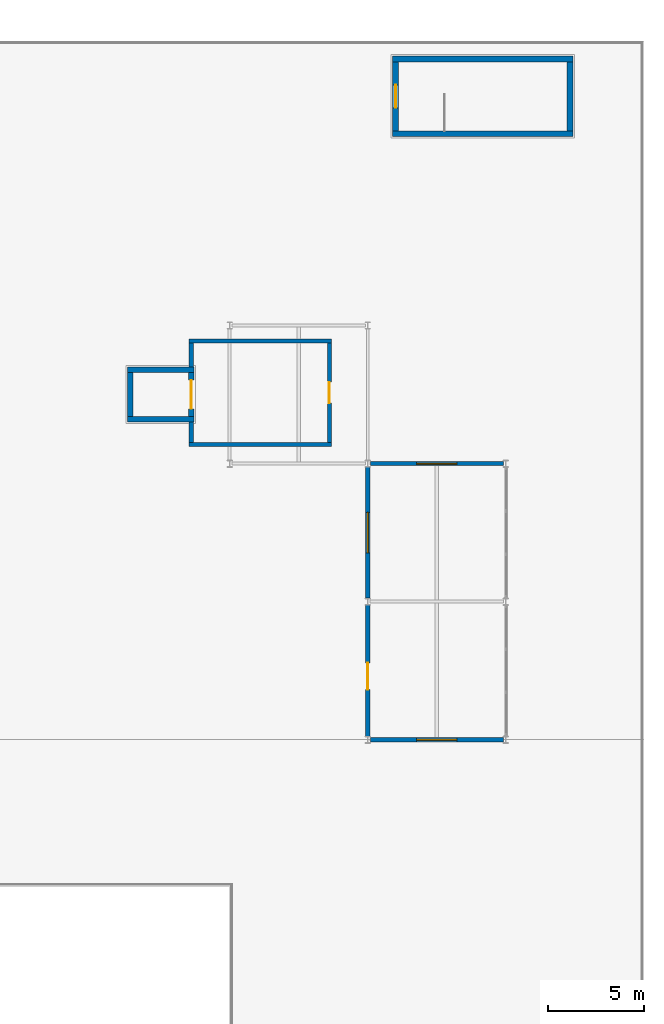
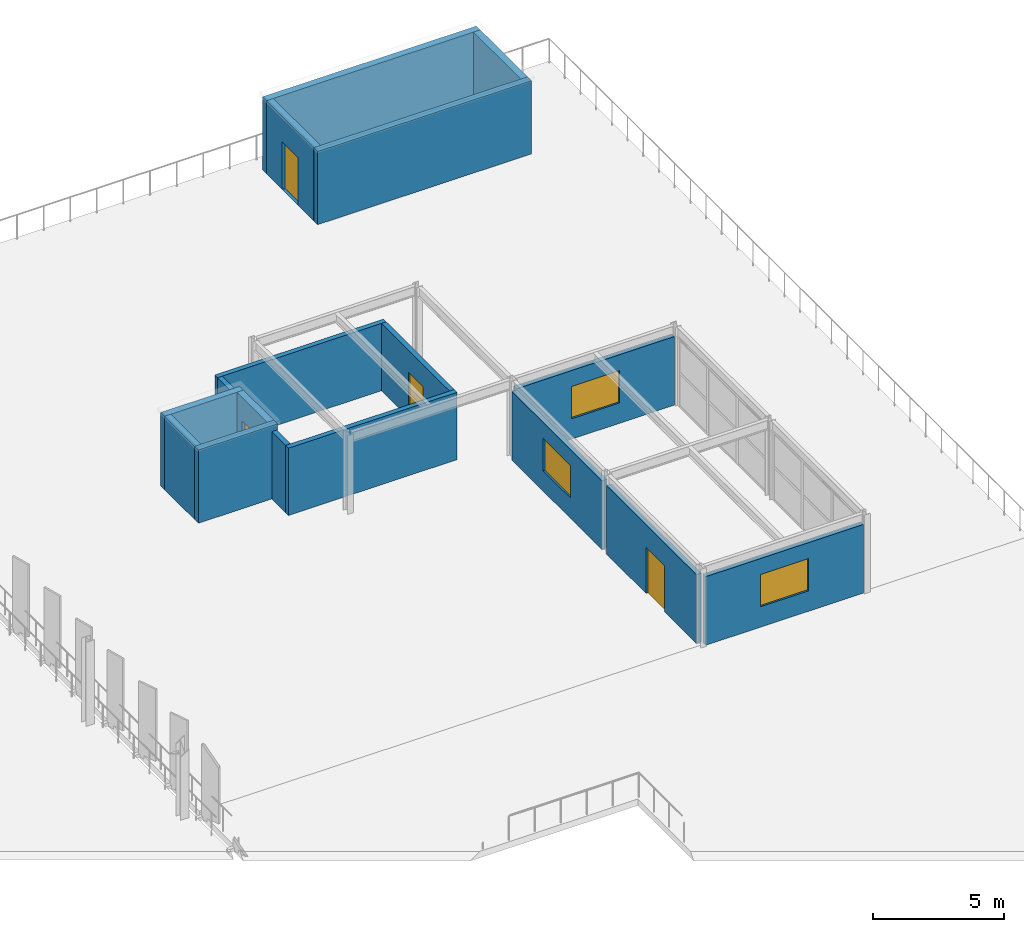
# One storey, part 37 of 52: 17 walls, 4 doors, 3 windows, 7 openings.
"""IFC4 building model written with IfcOpenShell, lengths in metres."""

from ifc_helpers import new_model, si_unit, direction, frame, frame_2d, origin, place, context, subcontext, project, spatial, rectangle, extrude, material, layer, layer_set, type_object, element, fill, save


model = new_model("IFC4")

# Units and contexts
model_context = context("Model", 3, precision=1e-05, world=origin(), true_north=direction((0.0, 1.0)))
body_context = subcontext(model_context, "Body", "Model", "MODEL_VIEW")
ifc_project = project(units=[si_unit("LENGTHUNIT", "METRE"), si_unit("AREAUNIT", "SQUARE_METRE"), si_unit("VOLUMEUNIT", "CUBIC_METRE"), si_unit("PLANEANGLEUNIT", "RADIAN"), si_unit("MASSUNIT", "GRAM", prefix="KILO")], contexts=[model_context])

# Site, building, storey
site_placement = place(None, origin())
site = spatial("IfcSite", under=ifc_project, at=site_placement, CompositionType="ELEMENT")
building_placement = place(site_placement, origin())
building = spatial("IfcBuilding", under=site, at=building_placement, Name="Vaelcorin Mobility Hub", CompositionType="ELEMENT")
storey_placement = place(building_placement, frame((0.0, 0.0, 13.199951171875)))
storey = spatial("IfcBuildingStorey", under=building, at=storey_placement, Name="L03", CompositionType="ELEMENT", Elevation=13.199951171875)

# Walls
ifc_material_1 = material(Name="Reinforced concrete f'c 45 MPa", Category="concrete")
ifc_layer_1 = layer(ifc_material_1, 0.300048828125)
ifc_layer_set_1 = layer_set([ifc_layer_1], Name="Reinforced concrete f'c 45 MPa")
wall_type_1 = type_object("IfcWallType", Name="WL-CORE-300", PredefinedType="SOLIDWALL", material=ifc_layer_set_1)
for number, where, z_axis, x_axis, name in (
    (1, (185.89990234375, 115.60009765625, 0.0), (0.0, 0.0, 1.0), (-1.0, 0.0, 0.0), "ST6 Fire Core Wall L03 South"),
    (2, (176.5, 119.5, 0.0), (0.0, 0.0, 1.0), (1.0, 0.0, 0.0), "ST6 Fire Core Wall L03 North"),
):
    element("IfcWall", number, at=place(storey_placement, frame(where, z_axis=z_axis, x_axis=x_axis)), inside=storey, type_object=wall_type_1, Name=name, PredefinedType="SOLIDWALL", context=body_context, shape_type="SweptSolid", body=[
        extrude(rectangle(XDim=9.39990234375, YDim=0.300048828125, at=frame_2d((4.699951171875, 0.0))), origin(), (0.0, 0.0, 1.0), 3.400146484375),
    ])

# Wall, opening, door
wall_1_placement = place(storey_placement, frame((176.64990234375, 115.75, 0.0), z_axis=(0.0, 0.0, 1.0), x_axis=(0.0, 1.0, 0.0)))
wall_1 = element("IfcWall", 3, at=wall_1_placement, inside=storey, type_object=wall_type_1, Name="ST6 Fire Core Wall L03 West", PredefinedType="SOLIDWALL", context=body_context, shape_type="SweptSolid", body=[
    extrude(rectangle(XDim=3.60009765625, YDim=0.300048828125, at=frame_2d((1.800048828125, 0.0))), origin(), (0.0, 0.0, 1.0), 3.400146484375),
])
opening_1_placement = place(wall_1_placement, frame((1.199951171875, 0.0, 0.0)))
opening_1 = element("IfcOpeningElement", 4, at=opening_1_placement, cuts=wall_1, Name="Opening SD01", PredefinedType="OPENING", context=body_context, shape_type="SweptSolid", body=[
    extrude(rectangle(XDim=1.199951171875, YDim=2.199951171875, at=frame_2d((0.60009765625, 1.10009765625))), frame((0.0, 0.159912109375, 0.0), z_axis=(0.0, -1.0, 0.0), x_axis=(1.0, 0.0, 0.0)), (0.0, 0.0, 1.0), 0.320068359375),
])
ifc_material_2 = material(Name="Hollow-metal insulated steel fire door", Category="steel")
door_type_1 = type_object("IfcDoorType", Name="DR-STAIR-90", OperationType="NOTDEFINED", PredefinedType="DOOR", material=ifc_material_2)
door_1_placement = place(opening_1_placement, origin())
door_1 = element("IfcDoor", 5, at=door_1_placement, inside=storey, type_object=door_type_1, Name="ST6 Protected Stair Door L03", OperationType="SINGLE_SWING_RIGHT", OverallHeight=2.199951171875, OverallWidth=1.199951171875, PredefinedType="DOOR", context=body_context, shape_type="SweptSolid", body=[
    extrude(rectangle(XDim=1.199951171875, YDim=2.199951171875, at=frame_2d((0.60009765625, 1.10009765625))), frame((0.0, 0.02490234375, 0.0), z_axis=(0.0, -1.0, 0.0), x_axis=(1.0, 0.0, 0.0)), (0.0, 0.0, 1.0), 0.050048828125),
])
fill(opening_1, door_1)

# Wall
wall_2_placement = place(storey_placement, frame((185.75, 119.35009765625, 0.0), z_axis=(0.0, 0.0, 1.0), x_axis=(0.0, -1.0, 0.0)))
element("IfcWall", 6, at=wall_2_placement, inside=storey, type_object=wall_type_1, Name="ST6 Fire Core Wall L03 East", PredefinedType="SOLIDWALL", context=body_context, shape_type="SweptSolid", body=[
    extrude(rectangle(XDim=3.60009765625, YDim=0.300048828125, at=frame_2d((1.800048828125, 0.0))), origin(), (0.0, 0.0, 1.0), 3.400146484375),
])

# Wall, opening, door
ifc_material_3 = material(Name="Insulated exterior precast concrete C40/50", Category="concrete")
ifc_layer_2 = layer(ifc_material_3, 0.219970703125)
ifc_layer_set_2 = layer_set([ifc_layer_2], Name="Insulated exterior precast concrete C40/50")
wall_type_2 = type_object("IfcWallType", Name="WL-EXT-220", PredefinedType="STANDARD", material=ifc_layer_set_2)
wall_3_placement = place(storey_placement, frame((175.199951171875, 84.179931640625, 0.0), z_axis=(0.0, 0.0, 1.0), x_axis=(0.0, 1.0, 0.0)))
wall_3 = element("IfcWall", 7, at=wall_3_placement, inside=storey, type_object=wall_type_2, Name="L03 Exterior Wall L03-GPAVN-W-1", PredefinedType="STANDARD", context=body_context, shape_type="SweptSolid", body=[
    extrude(rectangle(XDim=6.840087890625, YDim=0.219970703125, at=frame_2d((3.419921875, 0.0))), origin(), (0.0, 0.0, 1.0), 3.18994140625),
])
opening_2_placement = place(wall_3_placement, frame((2.429931640625, 0.0, 0.0)))
opening_2 = element("IfcOpeningElement", 8, at=opening_2_placement, cuts=wall_3, Name="Opening ED04", PredefinedType="OPENING", context=body_context, shape_type="SweptSolid", body=[
    extrude(rectangle(XDim=1.39990234375, YDim=2.14990234375, at=frame_2d((0.699951171875, 1.074951171875))), frame((0.0, 0.119873046875, 0.0), z_axis=(0.0, -1.0, 0.0), x_axis=(1.0, 0.0, 0.0)), (0.0, 0.0, 1.0), 0.239990234375),
])
ifc_material_4 = material(Name="Anodised aluminium 6063-T6", Category="aluminium")
door_type_2 = type_object("IfcDoorType", Name="DR-EXT-1400X2150", OperationType="NOTDEFINED", PredefinedType="DOOR", material=ifc_material_4)
door_2_placement = place(opening_2_placement, origin())
door_2 = element("IfcDoor", 9, at=door_2_placement, inside=storey, type_object=door_type_2, Name="L03 Exterior Door DR-L03-RG-N", OperationType="SINGLE_SWING_LEFT", OverallHeight=2.14990234375, OverallWidth=1.39990234375, PredefinedType="DOOR", context=body_context, shape_type="SweptSolid", body=[
    extrude(rectangle(XDim=1.39990234375, YDim=2.14990234375, at=frame_2d((0.699951171875, 1.074951171875))), frame((0.0, 0.02490234375, 0.0), z_axis=(0.0, -1.0, 0.0), x_axis=(1.0, 0.0, 0.0)), (0.0, 0.0, 1.0), 0.050048828125),
])
fill(opening_2, door_2)

# Wall, opening, window
wall_4_placement = place(storey_placement, frame((175.199951171875, 91.3798828125, 0.0), z_axis=(0.0, 0.0, 1.0), x_axis=(0.0, 1.0, 0.0)))
wall_4 = element("IfcWall", 10, at=wall_4_placement, inside=storey, type_object=wall_type_2, Name="L03 Exterior Wall L03-GPAVN-W-2", PredefinedType="STANDARD", context=body_context, shape_type="SweptSolid", body=[
    extrude(rectangle(XDim=6.840087890625, YDim=0.219970703125, at=frame_2d((3.419921875, 0.0))), origin(), (0.0, 0.0, 1.0), 3.18994140625),
])
opening_3_placement = place(wall_4_placement, frame((2.3701171875, 0.0, 0.949951171875)))
opening_3 = element("IfcOpeningElement", 11, at=opening_3_placement, cuts=wall_4, Name="Opening WN19", PredefinedType="OPENING", context=body_context, shape_type="SweptSolid", body=[
    extrude(rectangle(XDim=2.10009765625, YDim=1.5, at=frame_2d((1.050048828125, 0.75))), frame((0.0, 0.119873046875, 0.0), z_axis=(0.0, -1.0, 0.0), x_axis=(1.0, 0.0, 0.0)), (0.0, 0.0, 1.0), 0.239990234375),
])
ifc_material_5 = material(Name="Double-glazed low-E window unit", Category="glass")
window_type = type_object("IfcWindowType", Name="WIN-2100X1500", PartitioningType="SINGLE_PANEL", PredefinedType="WINDOW", material=ifc_material_5)
window_1_placement = place(opening_3_placement, origin())
window_1 = element("IfcWindow", 12, at=window_1_placement, inside=storey, type_object=window_type, Name="L03 Window L03-GPAVN-W-2-WN", OverallHeight=1.5, OverallWidth=2.10009765625, PartitioningType="SINGLE_PANEL", PredefinedType="WINDOW", context=body_context, shape_type="SweptSolid", body=[
    extrude(rectangle(XDim=2.10009765625, YDim=1.5, at=frame_2d((1.050048828125, 0.75))), frame((0.0, 0.030029296875, 0.0), z_axis=(0.0, -1.0, 0.0), x_axis=(1.0, 0.0, 0.0)), (0.0, 0.0, 1.0), 0.06005859375),
])
fill(opening_3, window_1)

wall_5_placement = place(storey_placement, frame((182.26611328125, 84.0, 0.0), z_axis=(0.0, 0.0, 1.0), x_axis=(-1.0, 0.0, 0.0)))
wall_5 = element("IfcWall", 13, at=wall_5_placement, inside=storey, type_object=wall_type_2, Name="L03 Exterior Wall L03-GPAVN-S", PredefinedType="STANDARD", context=body_context, shape_type="SweptSolid", body=[
    extrude(rectangle(XDim=6.93212890625, YDim=0.219970703125, at=frame_2d((3.466064453125, 0.0))), origin(), (0.0, 0.0, 1.0), 3.18994140625),
])
opening_4_placement = place(wall_5_placement, frame((2.416015625, 0.0, 0.949951171875)))
opening_4 = element("IfcOpeningElement", 14, at=opening_4_placement, cuts=wall_5, Name="Opening WN19", PredefinedType="OPENING", context=body_context, shape_type="SweptSolid", body=[
    extrude(rectangle(XDim=2.10009765625, YDim=1.5, at=frame_2d((1.050048828125, 0.75))), frame((0.0, 0.119873046875, 0.0), z_axis=(0.0, -1.0, 0.0), x_axis=(1.0, 0.0, 0.0)), (0.0, 0.0, 1.0), 0.239990234375),
])
window_2_placement = place(opening_4_placement, origin())
window_2 = element("IfcWindow", 15, at=window_2_placement, inside=storey, type_object=window_type, Name="L03 Window L03-GPAVN-S-WN", OverallHeight=1.5, OverallWidth=2.10009765625, PartitioningType="SINGLE_PANEL", PredefinedType="WINDOW", context=body_context, shape_type="SweptSolid", body=[
    extrude(rectangle(XDim=2.10009765625, YDim=1.5, at=frame_2d((1.050048828125, 0.75))), frame((0.0, 0.030029296875, 0.0), z_axis=(0.0, -1.0, 0.0), x_axis=(1.0, 0.0, 0.0)), (0.0, 0.0, 1.0), 0.06005859375),
])
fill(opening_4, window_2)

wall_6_placement = place(storey_placement, frame((175.333984375, 98.39990234375, 0.0), z_axis=(0.0, 0.0, 1.0), x_axis=(1.0, 0.0, 0.0)))
wall_6 = element("IfcWall", 16, at=wall_6_placement, inside=storey, type_object=wall_type_2, Name="L03 Exterior Wall L03-GPAVN-N", PredefinedType="STANDARD", context=body_context, shape_type="SweptSolid", body=[
    extrude(rectangle(XDim=6.93212890625, YDim=0.219970703125, at=frame_2d((3.466064453125, 0.0))), origin(), (0.0, 0.0, 1.0), 3.18994140625),
])
opening_5_placement = place(wall_6_placement, frame((2.416015625, 0.0, 0.949951171875)))
opening_5 = element("IfcOpeningElement", 17, at=opening_5_placement, cuts=wall_6, Name="Opening WN19", PredefinedType="OPENING", context=body_context, shape_type="SweptSolid", body=[
    extrude(rectangle(XDim=2.10009765625, YDim=1.5, at=frame_2d((1.050048828125, 0.75))), frame((0.0, 0.119873046875, 0.0), z_axis=(0.0, -1.0, 0.0), x_axis=(1.0, 0.0, 0.0)), (0.0, 0.0, 1.0), 0.239990234375),
])
window_3_placement = place(opening_5_placement, origin())
window_3 = element("IfcWindow", 18, at=window_3_placement, inside=storey, type_object=window_type, Name="L03 Window L03-GPAVN-N-WN", OverallHeight=1.5, OverallWidth=2.10009765625, PartitioningType="SINGLE_PANEL", PredefinedType="WINDOW", context=body_context, shape_type="SweptSolid", body=[
    extrude(rectangle(XDim=2.10009765625, YDim=1.5, at=frame_2d((1.050048828125, 0.75))), frame((0.0, 0.030029296875, 0.0), z_axis=(0.0, -1.0, 0.0), x_axis=(1.0, 0.0, 0.0)), (0.0, 0.0, 1.0), 0.06005859375),
])
fill(opening_5, window_3)

# Walls
ifc_material_6 = material(Name="Reinforced acoustic concrete masonry C30/37", Category="masonry")
ifc_layer_3 = layer(ifc_material_6, 0.2119140625)
ifc_layer_set_3 = layer_set([ifc_layer_3], Name="Reinforced acoustic concrete masonry C30/37")
wall_type_3 = type_object("IfcWallType", Name="WL-PART-212", PredefinedType="PARTITIONING", material=ifc_layer_set_3)
for number, where, z_axis, x_axis, name in (
    (19, (173.305908203125, 99.39990234375, 0.0), (0.0, 0.0, 1.0), (-1.0, 0.0, 0.0), "North Garden Lift Lobby L03 Partition South"),
    (20, (165.888916015625, 104.800048828125, 0.0), (0.0, 0.0, 1.0), (1.0, 0.0, 0.0), "North Garden Lift Lobby L03 Partition North"),
):
    element("IfcWall", number, at=place(storey_placement, frame(where, z_axis=z_axis, x_axis=x_axis)), inside=storey, type_object=wall_type_3, Name=name, PredefinedType="PARTITIONING", context=body_context, shape_type="SweptSolid", body=[
        extrude(rectangle(XDim=7.4169921875, YDim=0.2119140625, at=frame_2d((3.70849609375, 0.0))), origin(), (0.0, 0.0, 1.0), 3.130126953125),
    ])
wall_7_placement = place(storey_placement, frame((165.9951171875, 99.508056640625, 0.0), z_axis=(0.0, 0.0, 1.0), x_axis=(0.0, 1.0, 0.0)))
element("IfcWall", 21, at=wall_7_placement, inside=storey, type_object=wall_type_3, Name="North Garden Lift Lobby L03 Return Wall SW", PredefinedType="PARTITIONING", context=body_context, shape_type="SweptSolid", body=[
    extrude(rectangle(XDim=1.050048828125, YDim=0.2119140625, at=frame_2d((0.52490234375, 0.0))), origin(), (0.0, 0.0, 1.0), 3.130126953125),
])
wall_8_placement = place(storey_placement, frame((165.9951171875, 103.44189453125, 0.0), z_axis=(0.0, 0.0, 1.0), x_axis=(0.0, 1.0, 0.0)))
element("IfcWall", 22, at=wall_8_placement, inside=storey, type_object=wall_type_3, Name="North Garden Lift Lobby L03 Return Wall NW", PredefinedType="PARTITIONING", context=body_context, shape_type="SweptSolid", body=[
    extrude(rectangle(XDim=1.25, YDim=0.2119140625, at=frame_2d((0.625, 0.0))), origin(), (0.0, 0.0, 1.0), 3.130126953125),
])

# Wall, opening, door
wall_9_placement = place(storey_placement, frame((173.199951171875, 104.69189453125, 0.0), z_axis=(0.0, 0.0, 1.0), x_axis=(0.0, -1.0, 0.0)))
wall_9 = element("IfcWall", 23, at=wall_9_placement, inside=storey, type_object=wall_type_3, Name="North Garden Lift Lobby L03 Partition East", PredefinedType="PARTITIONING", context=body_context, shape_type="SweptSolid", body=[
    extrude(rectangle(XDim=5.183837890625, YDim=0.2119140625, at=frame_2d((2.591796875, 0.0))), origin(), (0.0, 0.0, 1.0), 3.130126953125),
])
opening_6_placement = place(wall_9_placement, frame((2.0419921875, 0.0, 0.0)))
opening_6 = element("IfcOpeningElement", 24, at=opening_6_placement, cuts=wall_9, Name="Opening ID06", PredefinedType="OPENING", context=body_context, shape_type="SweptSolid", body=[
    extrude(rectangle(XDim=1.10009765625, YDim=2.10009765625, at=frame_2d((0.550048828125, 1.050048828125))), frame((0.0, 0.115966796875, 0.0), z_axis=(0.0, -1.0, 0.0), x_axis=(1.0, 0.0, 0.0)), (0.0, 0.0, 1.0), 0.23193359375),
])
ifc_material_7 = material(Name="Solid-core hardwood fire door assembly", Category="wood")
door_type_3 = type_object("IfcDoorType", Name="DR-INT-06", OperationType="NOTDEFINED", PredefinedType="DOOR", material=ifc_material_7)
door_3_placement = place(opening_6_placement, origin())
door_3 = element("IfcDoor", 25, at=door_3_placement, inside=storey, type_object=door_type_3, Name="North Garden Lift Lobby L03 Door", OperationType="SINGLE_SWING_LEFT", OverallHeight=2.10009765625, OverallWidth=1.10009765625, PredefinedType="DOOR", context=body_context, shape_type="SweptSolid", body=[
    extrude(rectangle(XDim=1.10009765625, YDim=2.10009765625, at=frame_2d((0.550048828125, 1.050048828125))), frame((0.0, 0.02490234375, 0.0), z_axis=(0.0, -1.0, 0.0), x_axis=(1.0, 0.0, 0.0)), (0.0, 0.0, 1.0), 0.050048828125),
])
fill(opening_6, door_3)

# Walls
ifc_layer_4 = layer(ifc_material_1, 0.2900390625)
ifc_layer_set_4 = layer_set([ifc_layer_4], Name="Reinforced concrete f'c 45 MPa")
wall_type_4 = type_object("IfcWallType", Name="WL-SHEAR-290", PredefinedType="SHEAR", material=ifc_layer_set_4)
for number, where, z_axis, x_axis, name in (
    (26, (166.139892578125, 100.705078125, 0.0), (0.0, 0.0, 1.0), (-1.0, 0.0, 0.0), "LF6 Lift Shaft Shear Wall L03 South"),
    (27, (162.659912109375, 103.294921875, 0.0), (0.0, 0.0, 1.0), (1.0, 0.0, 0.0), "LF6 Lift Shaft Shear Wall L03 North"),
):
    element("IfcWall", number, at=place(storey_placement, frame(where, z_axis=z_axis, x_axis=x_axis)), inside=storey, type_object=wall_type_4, Name=name, PredefinedType="SHEAR", context=body_context, shape_type="SweptSolid", body=[
        extrude(rectangle(XDim=3.47998046875, YDim=0.2900390625, at=frame_2d((1.739990234375, 0.0))), origin(), (0.0, 0.0, 1.0), 3.400146484375),
    ])
wall_10_placement = place(storey_placement, frame((162.804931640625, 100.85009765625, 0.0), z_axis=(0.0, 0.0, 1.0), x_axis=(0.0, 1.0, 0.0)))
element("IfcWall", 28, at=wall_10_placement, inside=storey, type_object=wall_type_4, Name="LF6 Lift Shaft Shear Wall L03 West", PredefinedType="SHEAR", context=body_context, shape_type="SweptSolid", body=[
    extrude(rectangle(XDim=2.2998046875, YDim=0.2900390625, at=frame_2d((1.14990234375, 0.0))), origin(), (0.0, 0.0, 1.0), 3.400146484375),
])

# Wall, opening, door
wall_11_placement = place(storey_placement, frame((165.9951171875, 103.14990234375, 0.0), z_axis=(0.0, 0.0, 1.0), x_axis=(0.0, -1.0, 0.0)))
wall_11 = element("IfcWall", 29, at=wall_11_placement, inside=storey, type_object=wall_type_4, Name="LF6 Lift Shaft Shear Wall L03 East", PredefinedType="SHEAR", context=body_context, shape_type="SweptSolid", body=[
    extrude(rectangle(XDim=2.2998046875, YDim=0.2900390625, at=frame_2d((1.14990234375, 0.0))), origin(), (0.0, 0.0, 1.0), 3.400146484375),
])
opening_7_placement = place(wall_11_placement, frame((0.39990234375, 0.0, 0.0)))
opening_7 = element("IfcOpeningElement", 30, at=opening_7_placement, cuts=wall_11, Name="Opening LD4", PredefinedType="OPENING", context=body_context, shape_type="SweptSolid", body=[
    extrude(rectangle(XDim=1.5, YDim=2.300048828125, at=frame_2d((0.75, 1.14990234375))), frame((0.0, 0.155029296875, 0.0), z_axis=(0.0, -1.0, 0.0), x_axis=(1.0, 0.0, 0.0)), (0.0, 0.0, 1.0), 0.31005859375),
])
ifc_material_8 = material(Name="Brushed stainless steel 316L", Category="steel")
door_type_4 = type_object("IfcDoorType", Name="DR-LIFT-LD4", OperationType="NOTDEFINED", PredefinedType="DOOR", material=ifc_material_8)
door_4_placement = place(opening_7_placement, origin())
door_4 = element("IfcDoor", 31, at=door_4_placement, inside=storey, type_object=door_type_4, Name="LF6 Lift Landing Sliding Door L03", OperationType="DOUBLE_DOOR_SLIDING", OverallHeight=2.300048828125, OverallWidth=1.5, PredefinedType="DOOR", context=body_context, shape_type="SweptSolid", body=[
    extrude(rectangle(XDim=1.5, YDim=2.300048828125, at=frame_2d((0.75, 1.14990234375))), frame((0.0, 0.02490234375, 0.0), z_axis=(0.0, -1.0, 0.0), x_axis=(1.0, 0.0, 0.0)), (0.0, 0.0, 1.0), 0.050048828125),
])
fill(opening_7, door_4)

save(model, "model.ifc")
